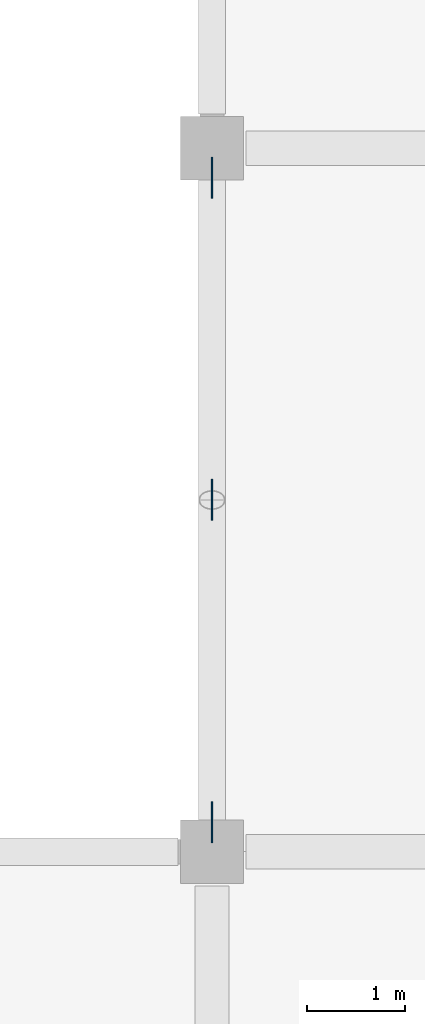
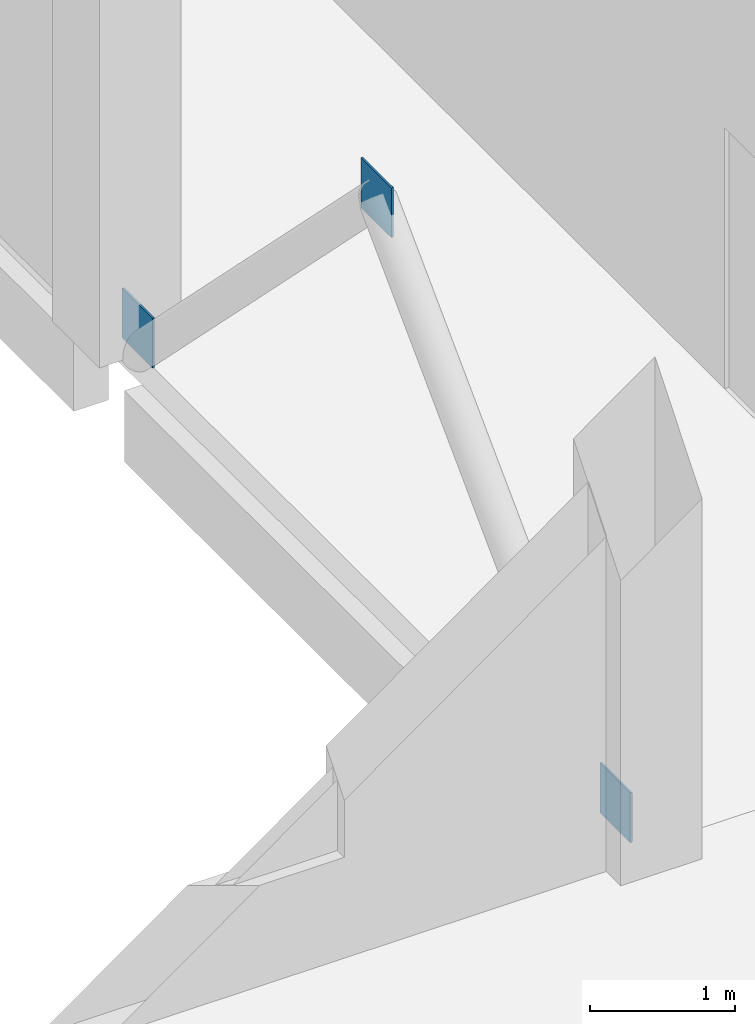
# One storey, part 51 of 77: 3 plates.
"""IFC4 building model written with IfcOpenShell, lengths in metres."""

from ifc_helpers import new_model, si_unit, direction, frame, origin, origin_2d, place, context, subcontext, project, spatial, rectangle, extrude, material, layer, layer_set, type_object, element, save


model = new_model("IFC4")

# Units and contexts
model_context = context("Model", 3, precision=1e-05, world=origin(), true_north=direction((0.0, 1.0)))
body_context = subcontext(model_context, "Body", "Model", "MODEL_VIEW")
ifc_project = project(units=[si_unit("LENGTHUNIT", "METRE"), si_unit("AREAUNIT", "SQUARE_METRE"), si_unit("VOLUMEUNIT", "CUBIC_METRE"), si_unit("PLANEANGLEUNIT", "RADIAN"), si_unit("MASSUNIT", "GRAM", prefix="KILO")], contexts=[model_context])

# Site, building, storey
site_placement = place(None, origin())
site = spatial("IfcSite", under=ifc_project, at=site_placement, CompositionType="ELEMENT")
building_placement = place(site_placement, origin())
building = spatial("IfcBuilding", under=site, at=building_placement, Name="Kangsadwip Square Police Headquarters", CompositionType="ELEMENT")
storey_placement = place(building_placement, frame((0.0, 0.0, 17.550048828125)))
storey = spatial("IfcBuildingStorey", under=building, at=storey_placement, Name="L04", CompositionType="ELEMENT", Elevation=17.550048828125)

# Plates
ifc_material = material(Name="Structural steel IS 2062 E350 (Grade 350, 350 MPa)", Category="steel")
ifc_layer = layer(ifc_material, 0.01611328125)
ifc_layer_set = layer_set([ifc_layer], Name="Structural steel IS 2062 E350 (Grade 350, 350 MPa)")
plate_type = type_object("IfcPlateType", Name="TrussGussetPlate16", PredefinedType="USERDEFINED", material=ifc_layer_set)
for number, where, z_axis, x_axis, name in (
    (1, (144.0, 39.60009765625, 3.10009765625), (0.0, 0.0, 1.0), (0.0, 1.0, 0.0), "Truss Node Gusset Plate GP-L04-0163"),
    (2, (144.0, 36.300048828125, 0.0), (0.0, 0.0, 1.0), (0.0, 1.0, 0.0), "Truss Node Gusset Plate GP-L04-0164"),
    (3, (144.0, 42.89990234375, 0.0), (0.0, 0.0, 1.0), (0.0, 1.0, 0.0), "Truss Node Gusset Plate GP-L04-0165"),
):
    element("IfcPlate", number, at=place(storey_placement, frame(where, z_axis=z_axis, x_axis=x_axis)), inside=storey, type_object=plate_type, Name=name, ObjectType="GUSSET_PLATE", PredefinedType="USERDEFINED", context=body_context, shape_type="SweptSolid", body=[
        extrude(rectangle(XDim=0.419921875, YDim=0.01611328125, at=origin_2d()), origin(), (0.0, 0.0, 1.0), 0.419921875),
    ])

save(model, "model.ifc")
